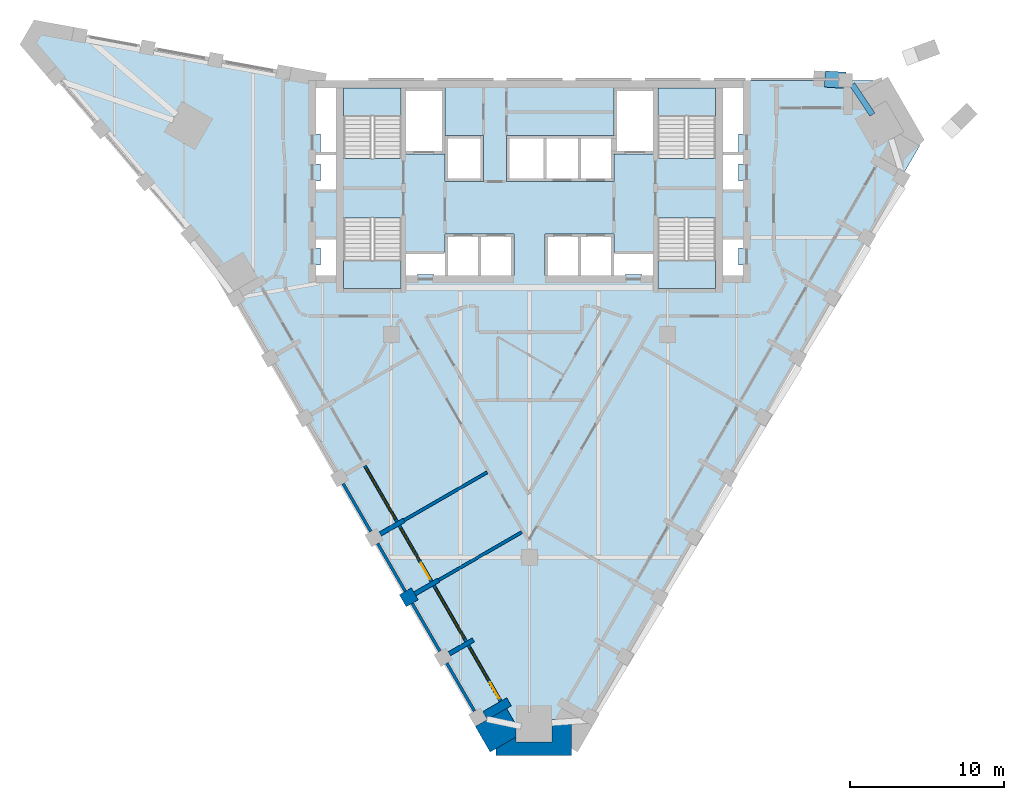
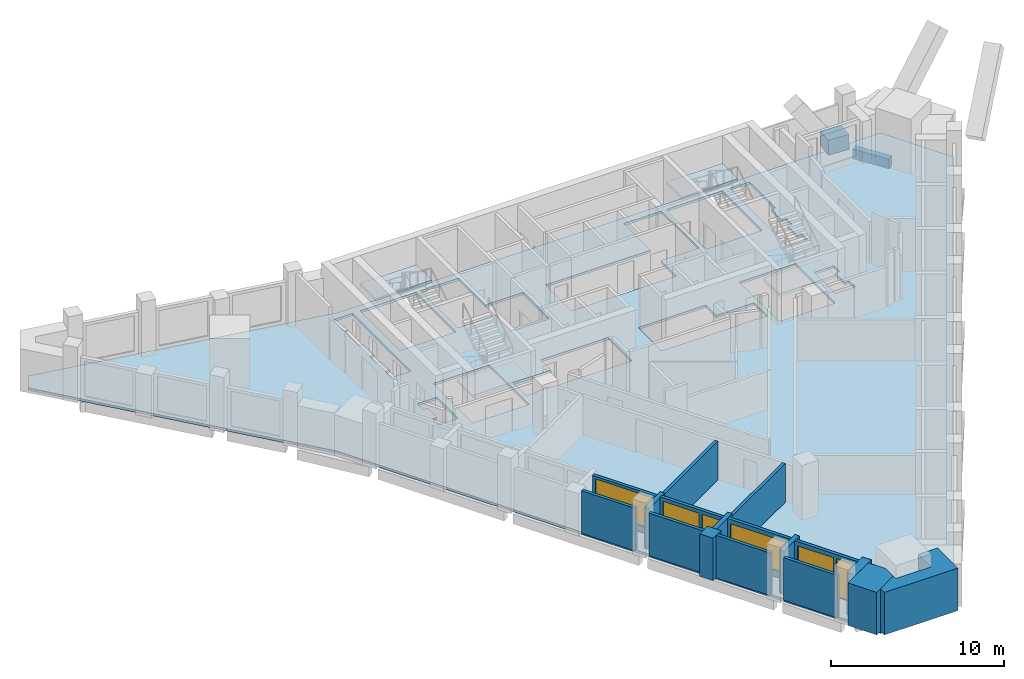
# One storey, part 2 of 9: 17 walls, 5 slabs, 4 windows, 2 beams, 2 doors, 6 openings, 4 elements without a shape of their own.
"""IFC4 building model written with IfcOpenShell, lengths in metres."""

from ifc_helpers import new_model, si_unit, direction, frame, frame_2d, origin, origin_2d, place, context, subcontext, project, spatial, polyline, rectangle, outline, extrude, material, layer, layer_set, material_profile, profile_set, type_object, element, fill, aggregate, save


model = new_model("IFC4")

# Units and contexts
model_context = context("Model", 3, precision=1e-05, world=origin(), true_north=direction((0.0, 1.0)))
body_context = subcontext(model_context, "Body", "Model", "MODEL_VIEW")
ifc_project = project(units=[si_unit("LENGTHUNIT", "METRE"), si_unit("AREAUNIT", "SQUARE_METRE"), si_unit("VOLUMEUNIT", "CUBIC_METRE"), si_unit("PLANEANGLEUNIT", "RADIAN"), si_unit("MASSUNIT", "GRAM", prefix="KILO")], contexts=[model_context])

# Site, building, storey
site_placement = place(None, origin())
site = spatial("IfcSite", under=ifc_project, at=site_placement, CompositionType="ELEMENT")
building_placement = place(site_placement, origin())
building = spatial("IfcBuilding", under=site, at=building_placement, Name="Calabash Gate Tower", CompositionType="ELEMENT")
storey_placement = place(building_placement, frame((0.0, 0.0, 235.39990234375)))
storey = spatial("IfcBuildingStorey", under=building, at=storey_placement, Name="L56", CompositionType="ELEMENT", Elevation=235.39990234375)

# Beams
ifc_material_1 = material(Name="Concrete C50/60", Category="concrete")
ifc_material_profile_1 = material_profile(ifc_material_1, rectangle(XDim=0.39990234375, YDim=0.699951171875, at=origin_2d()))
ifc_profile_set_1 = profile_set([ifc_material_profile_1], Name="Concrete C50/60")
beam_type_1 = type_object("IfcBeamType", Name="Edge beam RC 400x700 Concrete C50/60", PredefinedType="BEAM", material=ifc_profile_set_1)
beam_1_placement = place(storey_placement, frame((22.325927734375, 16.821044921875, -0.52001953125), z_axis=(-0.556658779258, 0.830741237375, 0.0), x_axis=(-0.830741237375, -0.556658779258, 0.0)))
element("IfcBeam", 1, at=beam_1_placement, inside=storey, type_object=beam_type_1, Name="Edge beam L56 12", PredefinedType="BEAM", context=body_context, shape_type="SweptSolid", body=[
    extrude(rectangle(XDim=0.39990234375, YDim=0.699951171875, at=origin_2d()), origin(), (0.0, 0.0, 1.0), 2.35693359375),
])
ifc_material_2 = material(Name="Concrete C80/95", Category="concrete")
ifc_material_profile_2 = material_profile(ifc_material_2, rectangle(XDim=1.050048828125, YDim=1.050048828125, at=origin_2d()))
ifc_profile_set_2 = profile_set([ifc_material_profile_2], Name="Concrete C80/95")
beam_type_2 = type_object("IfcBeamType", Name="Transfer node RC 1050x1050 Concrete C80/95", PredefinedType="BEAM", material=ifc_profile_set_2)
beam_2_placement = place(storey_placement, frame((20.576904296875, 19.052978515625, 0.527099609375), z_axis=(-0.998194229272, 0.060068965764, 0.0), x_axis=(-0.060068965764, -0.998194229272, 0.0)))
element("IfcBeam", 2, at=beam_2_placement, inside=storey, type_object=beam_type_2, Name="Transfer node L58 prow foot P40", PredefinedType="BEAM", context=body_context, shape_type="SweptSolid", body=[
    extrude(rectangle(XDim=1.050048828125, YDim=1.050048828125, at=origin_2d()), origin(), (0.0, 0.0, 1.0), 1.349365234375),
])

# Slab
ifc_material_3 = material(Name="Concrete C40/50", Category="concrete")
ifc_layer_1 = layer(ifc_material_3, 0.169921875)
ifc_layer_set_1 = layer_set([ifc_layer_1], Name="Composite floor slab 170 Concrete C40/50")
slab_type_1 = type_object("IfcSlabType", Name="Composite floor slab 170 Concrete C40/50", PredefinedType="FLOOR", material=ifc_layer_set_1)
slab_1_placement = place(storey_placement, frame((0.0, 0.0, -0.169921875)))
element("IfcSlab", 3, at=slab_1_placement, inside=storey, type_object=slab_type_1, Name="Floor slab L56", PredefinedType="FLOOR", context=body_context, shape_type="SweptSolid", body=[
    extrude(outline(polyline([(2.740478515625, -24.452880859375), (-2.173095703125, -24.452880859375), (-20.291015625, 6.92822265625), (-32.620361328125, 21.43115234375), (-32.015625, 22.478515625), (-13.291015625, 19.052490234375), (22.94482421875, 19.052490234375), (25.401611328125, 14.79736328125), (2.740478515625, -24.452880859375)]), holes=[polyline([(-7.324951171875, 6.3525390625), (-7.324951171875, 6.402587890625), (-6.22509765625, 6.402587890625), (-6.22509765625, 6.3525390625), (-5.5, 6.3525390625), (-3.25, 6.3525390625), (-1.0, 6.3525390625), (-1.0, 9.052490234375), (-3.25, 9.052490234375), (-5.5, 9.052490234375), (-5.5, 7.8525390625), (-8.050048828125, 7.8525390625), (-8.050048828125, 6.3525390625), (-7.324951171875, 6.3525390625)]), polyline([(8.050048828125, 6.3525390625), (8.050048828125, 7.8525390625), (5.5, 7.8525390625), (5.5, 9.052490234375), (3.25, 9.052490234375), (1.0, 9.052490234375), (1.0, 6.3525390625), (3.25, 6.3525390625), (5.5, 6.3525390625), (6.22509765625, 6.3525390625), (6.22509765625, 6.402587890625), (7.324951171875, 6.402587890625), (7.324951171875, 6.3525390625), (8.050048828125, 6.3525390625)]), polyline([(-8.050048828125, 18.552490234375), (-8.050048828125, 14.252685546875), (-5.5, 14.252685546875), (-5.5, 12.45263671875), (-3.0, 12.45263671875), (-3.0, 15.45263671875), (-5.5, 15.45263671875), (-5.5, 18.552490234375), (-8.050048828125, 18.552490234375)]), polyline([(5.5, 14.252685546875), (8.050048828125, 14.252685546875), (8.050048828125, 18.552490234375), (5.5, 18.552490234375), (5.5, 15.45263671875), (3.25, 15.45263671875), (1.0, 15.45263671875), (-1.5, 15.45263671875), (-1.5, 12.45263671875), (1.0, 12.45263671875), (3.25, 12.45263671875), (5.5, 12.45263671875), (5.5, 14.252685546875)]), polyline([(-12.10009765625, 13.95263671875), (-8.35009765625, 13.95263671875), (-8.35009765625, 18.552490234375), (-12.10009765625, 18.552490234375), (-12.10009765625, 13.95263671875)]), polyline([(-8.35009765625, 5.502685546875), (-8.35009765625, 10.1025390625), (-12.10009765625, 10.1025390625), (-12.10009765625, 5.502685546875), (-8.35009765625, 5.502685546875)]), polyline([(12.10009765625, 18.552490234375), (8.35009765625, 18.552490234375), (8.35009765625, 13.95263671875), (12.10009765625, 13.95263671875), (12.10009765625, 18.552490234375)]), polyline([(8.35009765625, 10.1025390625), (8.35009765625, 5.502685546875), (12.10009765625, 5.502685546875), (12.10009765625, 10.1025390625), (8.35009765625, 10.1025390625)]), polyline([(-13.89990234375, 6.3525390625), (-12.60009765625, 6.3525390625), (-12.60009765625, 8.79248046875), (-13.89990234375, 8.79248046875), (-13.89990234375, 8.12255859375), (-13.60009765625, 8.12255859375), (-13.60009765625, 7.022705078125), (-13.89990234375, 7.022705078125), (-13.89990234375, 6.3525390625)]), polyline([(-13.89990234375, 12.5126953125), (-13.89990234375, 11.842529296875), (-12.60009765625, 11.842529296875), (-12.60009765625, 14.28271484375), (-12.60009765625, 18.552490234375), (-13.89990234375, 18.552490234375), (-13.89990234375, 15.550048828125), (-13.60009765625, 15.550048828125), (-13.60009765625, 14.28271484375), (-13.89990234375, 14.28271484375), (-13.89990234375, 13.612548828125), (-13.60009765625, 13.612548828125), (-13.60009765625, 12.5126953125), (-13.89990234375, 12.5126953125)]), polyline([(13.60009765625, 7.022705078125), (13.60009765625, 8.12255859375), (13.89990234375, 8.12255859375), (13.89990234375, 8.79248046875), (12.60009765625, 8.79248046875), (12.60009765625, 6.3525390625), (13.89990234375, 6.3525390625), (13.89990234375, 7.022705078125), (13.60009765625, 7.022705078125)]), polyline([(13.89990234375, 12.5126953125), (13.60009765625, 12.5126953125), (13.60009765625, 13.612548828125), (13.89990234375, 13.612548828125), (13.89990234375, 14.28271484375), (13.60009765625, 14.28271484375), (13.60009765625, 15.550048828125), (13.89990234375, 15.550048828125), (13.89990234375, 18.552490234375), (12.60009765625, 18.552490234375), (12.60009765625, 14.28271484375), (12.60009765625, 11.842529296875), (13.89990234375, 11.842529296875), (13.89990234375, 12.5126953125)])]), origin(), (0.0, 0.0, 1.0), 0.169921875),
])

# Stair, slab
ifc_material_4 = material(Name="Concrete C40/50", Category="concrete")
stair_type = type_object("IfcStairType", Name="Exit stair 22 risers of 177.3 mm", PredefinedType="HALF_TURN_STAIR", material=ifc_material_4)
stair_1_placement = place(storey_placement, origin())
stair_1 = element("IfcStair", 4, at=stair_1_placement, inside=storey, type_object=stair_type, Name="L56 Exit stair ST1", PredefinedType="HALF_TURN_STAIR")
ifc_material_5 = material(Name="Concrete C40/50", Category="concrete")
ifc_layer_2 = layer(ifc_material_5, 0.199951171875)
ifc_layer_set_2 = layer_set([ifc_layer_2], Name="Stair landing SL200")
slab_type_2 = type_object("IfcSlabType", Name="Stair landing SL200", PredefinedType="LANDING", material=ifc_layer_set_2)
slab_2_placement = place(storey_placement, frame((0.0, 0.0, 1.75)))
slab_2 = element("IfcSlab", 5, at=slab_2_placement, type_object=slab_type_2, Name="ST1 landing 1", PredefinedType="LANDING", context=body_context, shape_type="SweptSolid", body=[
    extrude(outline(polyline([(-8.35009765625, 16.74267578125), (-8.35009765625, 18.552490234375), (-12.10009765625, 18.552490234375), (-12.10009765625, 16.74267578125), (-8.35009765625, 16.74267578125)])), origin(), (0.0, 0.0, 1.0), 0.2001953125),
])
aggregate(stair_1, [slab_2])

stair_2_placement = place(storey_placement, origin())
stair_2 = element("IfcStair", 6, at=stair_2_placement, inside=storey, type_object=stair_type, Name="L56 Exit stair ST2", PredefinedType="HALF_TURN_STAIR")
slab_3_placement = place(storey_placement, frame((0.0, 0.0, 1.75)))
slab_3 = element("IfcSlab", 7, at=slab_3_placement, type_object=slab_type_2, Name="ST2 landing 1", PredefinedType="LANDING", context=body_context, shape_type="SweptSolid", body=[
    extrude(outline(polyline([(-12.10009765625, 7.3125), (-12.10009765625, 5.502685546875), (-8.35009765625, 5.502685546875), (-8.35009765625, 7.3125), (-12.10009765625, 7.3125)])), origin(), (0.0, 0.0, 1.0), 0.2001953125),
])
aggregate(stair_2, [slab_3])

stair_3_placement = place(storey_placement, origin())
stair_3 = element("IfcStair", 8, at=stair_3_placement, inside=storey, type_object=stair_type, Name="L56 Exit stair ST3", PredefinedType="HALF_TURN_STAIR")
slab_4_placement = place(storey_placement, frame((0.0, 0.0, 1.75)))
slab_4 = element("IfcSlab", 9, at=slab_4_placement, type_object=slab_type_2, Name="ST3 landing 1", PredefinedType="LANDING", context=body_context, shape_type="SweptSolid", body=[
    extrude(outline(polyline([(12.10009765625, 16.74267578125), (12.10009765625, 18.552490234375), (8.35009765625, 18.552490234375), (8.35009765625, 16.74267578125), (12.10009765625, 16.74267578125)])), origin(), (0.0, 0.0, 1.0), 0.2001953125),
])
aggregate(stair_3, [slab_4])

stair_4_placement = place(storey_placement, origin())
stair_4 = element("IfcStair", 10, at=stair_4_placement, inside=storey, type_object=stair_type, Name="L56 Exit stair ST4", PredefinedType="HALF_TURN_STAIR")
slab_5_placement = place(storey_placement, frame((0.0, 0.0, 1.75)))
slab_5 = element("IfcSlab", 11, at=slab_5_placement, type_object=slab_type_2, Name="ST4 landing 1", PredefinedType="LANDING", context=body_context, shape_type="SweptSolid", body=[
    extrude(outline(polyline([(8.35009765625, 7.3125), (8.35009765625, 5.502685546875), (12.10009765625, 5.502685546875), (12.10009765625, 7.3125), (8.35009765625, 7.3125)])), origin(), (0.0, 0.0, 1.0), 0.2001953125),
])
aggregate(stair_4, [slab_5])

# Walls
ifc_material_6 = material(Name="Terracotta brick masonry, exposed face", Category="masonry")
ifc_layer_3 = layer(ifc_material_6, 2.35009765625)
ifc_layer_set_3 = layer_set([ifc_layer_3], Name="Brick corner mass wall 2350")
wall_type_1 = type_object("IfcWallType", Name="Brick corner mass wall 2350", PredefinedType="SOLIDWALL", material=ifc_layer_set_3)
wall_1_placement = place(storey_placement, origin())
element("IfcWall", 12, at=wall_1_placement, inside=storey, type_object=wall_type_1, Name="Brick corner pier S16 2a", PredefinedType="SOLIDWALL", context=body_context, shape_type="SweptSolid", body=[
    extrude(outline(polyline([(-0.89111328125, -22.87353515625), (-1.486572265625, -21.842041015625), (-3.521728515625, -23.01708984375), (-2.562744140625, -24.677978515625), (-0.89111328125, -23.712646484375), (-0.89111328125, -22.87353515625)])), origin(), (0.0, 0.0, 1.0), 3.0),
])
wall_2_placement = place(storey_placement, origin())
element("IfcWall", 13, at=wall_2_placement, inside=storey, type_object=wall_type_1, Name="Brick corner pier S16 2b", PredefinedType="SOLIDWALL", context=body_context, shape_type="SweptSolid", body=[
    extrude(outline(polyline([(1.458984375, -24.011962890625), (-0.89111328125, -24.011962890625), (-0.89111328125, -23.712646484375), (-2.173095703125, -24.452880859375), (-2.173095703125, -24.90283203125), (2.740478515625, -24.90283203125), (2.740478515625, -22.552978515625), (1.458984375, -22.552978515625), (1.458984375, -24.011962890625)])), origin(), (0.0, 0.0, 1.0), 3.0),
])
ifc_material_7 = material(Name="Terracotta brick masonry, exposed face", Category="masonry")
ifc_layer_4 = layer(ifc_material_7, 0.89990234375)
ifc_layer_set_4 = layer_set([ifc_layer_4], Name="Brick end wall 900")
wall_type_2 = type_object("IfcWallType", Name="Brick end wall 900", PredefinedType="SOLIDWALL", material=ifc_layer_set_4)
wall_3_placement = place(storey_placement, frame((-7.46728515625, -14.383056640625, 0.0), z_axis=(0.0, 0.0, 1.0), x_axis=(-0.866013897511, -0.50001992892, 0.0)))
element("IfcWall", 14, at=wall_3_placement, inside=storey, type_object=wall_type_2, Name="Brick pier S16 SW0.5", PredefinedType="SOLIDWALL", context=body_context, shape_type="SweptSolid", body=[
    extrude(rectangle(XDim=0.89990234375, YDim=0.89990234375, at=frame_2d((0.449951171875, 0.0))), origin(), (0.0, 0.0, 1.0), 3.0),
])
ifc_material_8 = material(Name="Terracotta brick masonry, exposed face", Category="masonry")
ifc_layer_5 = layer(ifc_material_8, 0.300048828125)
ifc_layer_set_5 = layer_set([ifc_layer_5], Name="Brick loggia cheek wall 300")
wall_type_3 = type_object("IfcWallType", Name="Brick loggia cheek wall 300", PredefinedType="SOLIDWALL", material=ifc_layer_set_5)
wall_4_placement = place(storey_placement, frame((-9.71728515625, -10.48583984375, 0.0), z_axis=(0.0, 0.0, 1.0), x_axis=(0.866047807691, 0.499961193289, 0.0)))
element("IfcWall", 15, at=wall_4_placement, inside=storey, type_object=wall_type_3, Name="Loggia cheek S16 SW0.4", PredefinedType="SOLIDWALL", context=body_context, shape_type="SweptSolid", body=[
    extrude(rectangle(XDim=1.800048828125, YDim=0.300048828125, at=frame_2d((0.89990234375, 0.0))), origin(), (0.0, 0.0, 1.0), 2.88427734375),
])
wall_5_placement = place(storey_placement, frame((-7.46728515625, -14.383056640625, 0.0), z_axis=(0.0, 0.0, 1.0), x_axis=(0.865989075817, 0.500062916607, 0.0)))
element("IfcWall", 16, at=wall_5_placement, inside=storey, type_object=wall_type_3, Name="Loggia cheek S16 SW0.5", PredefinedType="SOLIDWALL", context=body_context, shape_type="SweptSolid", body=[
    extrude(rectangle(XDim=1.800048828125, YDim=0.300048828125, at=frame_2d((0.89990234375, 0.0))), origin(), (0.0, 0.0, 1.0), 3.0),
])
wall_6_placement = place(storey_placement, frame((-3.658447265625, -17.380126953125, 0.0), z_axis=(0.0, 0.0, 1.0), x_axis=(-0.866029639064, -0.499992664208, 0.0)))
element("IfcWall", 17, at=wall_6_placement, inside=storey, type_object=wall_type_3, Name="Loggia cheek S16 SW0.6", PredefinedType="SOLIDWALL", context=body_context, shape_type="SweptSolid", body=[
    extrude(rectangle(XDim=1.798828125, YDim=0.300048828125, at=frame_2d((0.8994140625, 0.0))), origin(), (0.0, 0.0, 1.0), 3.0),
])
wall_7_placement = place(storey_placement, frame((-1.33349609375, -21.4072265625, 0.0), z_axis=(0.0, 0.0, 1.0), x_axis=(-0.866047807691, -0.499961193289, 0.0)))
element("IfcWall", 18, at=wall_7_placement, inside=storey, type_object=wall_type_3, Name="Loggia cheek S16 SW0.7", PredefinedType="SOLIDWALL", context=body_context, shape_type="SweptSolid", body=[
    extrude(rectangle(XDim=1.800048828125, YDim=0.60009765625, at=frame_2d((0.89990234375, 0.0))), origin(), (0.0, 0.0, 1.0), 3.0),
])
ifc_material_9 = material(Name="Gypsum board on steel studs, mineral wool", Category="steel")
ifc_layer_6 = layer(ifc_material_9, 0.199951171875)
ifc_layer_set_6 = layer_set([ifc_layer_6], Name="Partition 200 gypsum board EI 60")
wall_type_4 = type_object("IfcWallType", Name="Partition 200 gypsum board EI 60", PredefinedType="PARTITIONING", material=ifc_layer_set_6)
wall_8_placement = place(storey_placement, frame((-5.908203125, -13.4833984375, 0.0), z_axis=(0.0, 0.0, 1.0), x_axis=(0.866160870949, 0.499765290549, 0.0)))
element("IfcWall", 19, at=wall_8_placement, inside=storey, type_object=wall_type_4, Name="Partition", PredefinedType="PARTITIONING", context=body_context, shape_type="SweptSolid", body=[
    extrude(rectangle(XDim=6.24951171875, YDim=0.199951171875, at=frame_2d((3.124755859375, 0.0))), origin(), (0.0, 0.0, 1.0), 2.74169921875),
])
wall_9_placement = place(storey_placement, frame((-8.158203125, -9.586181640625, 0.0), z_axis=(0.0, 0.0, 1.0), x_axis=(0.866153717883, 0.499777687575, 0.0)))
element("IfcWall", 20, at=wall_9_placement, inside=storey, type_object=wall_type_4, Name="Partition", PredefinedType="PARTITIONING", context=body_context, shape_type="SweptSolid", body=[
    extrude(rectangle(XDim=6.249755859375, YDim=0.199951171875, at=frame_2d((3.125, 0.0))), origin(), (0.0, 0.0, 1.0), 2.74169921875),
])
ifc_material_10 = material(Name="Terracotta brick masonry, perforated", Category="masonry")
ifc_layer_7 = layer(ifc_material_10, 0.199951171875)
ifc_layer_set_7 = layer_set([ifc_layer_7], Name="Terracotta jaali screen B")
wall_type_5 = type_object("IfcWallType", Name="Terracotta jaali screen B", PredefinedType="SOLIDWALL", material=ifc_layer_set_7)
for number, where, z_axis, x_axis, name in (
    (21, (-12.132080078125, -7.20361328125, 0.0), (0.0, 0.0, 1.0), (0.500012057535, -0.866018442252, 0.0), "SCREEN B S16 SW0.4"),
    (22, (-9.882080078125, -11.1005859375, 0.0), (0.0, 0.0, 1.0), (0.500012057535, -0.866018442252, 0.0), "SCREEN B S16 SW0.5"),
):
    element("IfcWall", number, at=place(storey_placement, frame(where, z_axis=z_axis, x_axis=x_axis)), inside=storey, type_object=wall_type_5, Name=name, PredefinedType="SOLIDWALL", context=body_context, shape_type="SweptSolid", body=[
        extrude(rectangle(XDim=3.60009765625, YDim=0.199951171875, at=frame_2d((1.800048828125, 0.0))), origin(), (0.0, 0.0, 1.0), 3.0),
    ])
wall_10_placement = place(storey_placement, origin())
element("IfcWall", 23, at=wall_10_placement, inside=storey, type_object=wall_type_5, Name="SCREEN B S16 SW0.6", PredefinedType="SOLIDWALL", context=body_context, shape_type="SweptSolid", body=[
    extrude(outline(polyline([(-7.718505859375, -15.0478515625), (-5.91943359375, -18.163818359375), (-5.746337890625, -18.063720703125), (-7.54541015625, -14.94775390625), (-7.718505859375, -15.0478515625)])), origin(), (0.0, 0.0, 1.0), 3.0),
])
wall_11_placement = place(storey_placement, frame((-5.382080078125, -18.894775390625, 0.0), z_axis=(0.0, 0.0, 1.0), x_axis=(0.500012057535, -0.866018442252, 0.0)))
element("IfcWall", 24, at=wall_11_placement, inside=storey, type_object=wall_type_5, Name="SCREEN B S16 SW0.7", PredefinedType="SOLIDWALL", context=body_context, shape_type="SweptSolid", body=[
    extrude(rectangle(XDim=3.60009765625, YDim=0.199951171875, at=frame_2d((1.800048828125, 0.0))), origin(), (0.0, 0.0, 1.0), 3.0),
])

# Wall, opening, window
ifc_material_11 = material(Name="Aluminium framed window wall with insulated spandrel", Category="aluminium")
ifc_layer_8 = layer(ifc_material_11, 0.199951171875)
ifc_layer_set_8 = layer_set([ifc_layer_8], Name="Window wall 200")
wall_type_6 = type_object("IfcWallType", Name="Window wall 200", PredefinedType="ELEMENTEDWALL", material=ifc_layer_set_8)
wall_12_placement = place(storey_placement, frame((-10.72314453125, -6.043701171875, 0.0), z_axis=(0.0, 0.0, 1.0), x_axis=(0.500027713859, -0.866009402589, 0.0)))
wall_12 = element("IfcWall", 25, at=wall_12_placement, inside=storey, type_object=wall_type_6, Name="Window wall S16 SW0.4", PredefinedType="ELEMENTEDWALL", context=body_context, shape_type="SweptSolid", body=[
    extrude(rectangle(XDim=4.199951171875, YDim=0.199951171875, at=frame_2d((2.10009765625, 0.0))), origin(), (0.0, 0.0, 1.0), 2.88427734375),
])
opening_1_placement = place(wall_12_placement, frame((0.199951171875, 0.0, 0.449951171875)))
opening_1 = element("IfcOpeningElement", 26, at=opening_1_placement, cuts=wall_12, Name="Opening OW2", PredefinedType="OPENING", context=body_context, shape_type="SweptSolid", body=[
    extrude(rectangle(XDim=3.800048828125, YDim=2.25, at=frame_2d((1.89990234375, 1.125))), frame((0.0, 0.10986328125, 0.0), z_axis=(0.0, -1.0, 0.0), x_axis=(1.0, 0.0, 0.0)), (0.0, 0.0, 1.0), 0.219970703125),
])
ifc_material_12 = material(Name="Anodised aluminium frame, bronze finish, impact-rated laminated clear glazing", Category="aluminium")
window_type_1 = type_object("IfcWindowType", Name="Window OW2 3800x2250", PartitioningType="TRIPLE_PANEL_VERTICAL", PredefinedType="WINDOW", material=ifc_material_12)
window_1_placement = place(opening_1_placement, origin())
window_1 = element("IfcWindow", 27, at=window_1_placement, inside=storey, type_object=window_type_1, Name="Window OW2 S16 SW0.4", OverallHeight=2.25, OverallWidth=3.800048828125, PartitioningType="SINGLE_PANEL", PredefinedType="WINDOW", context=body_context, shape_type="SweptSolid", body=[
    extrude(rectangle(XDim=3.800048828125, YDim=2.25, at=frame_2d((1.89990234375, 1.125))), frame((0.0, 0.030029296875, 0.0), z_axis=(0.0, -1.0, 0.0), x_axis=(1.0, 0.0, 0.0)), (0.0, 0.0, 1.0), 0.06005859375),
])
fill(opening_1, window_1)

# Wall, openings, door, window
wall_13_placement = place(storey_placement, frame((-8.47314453125, -9.94091796875, 0.0), z_axis=(0.0, 0.0, 1.0), x_axis=(0.500027713859, -0.866009402589, 0.0)))
wall_13 = element("IfcWall", 28, at=wall_13_placement, inside=storey, type_object=wall_type_6, Name="Window wall S16 SW0.5", PredefinedType="ELEMENTEDWALL", context=body_context, shape_type="SweptSolid", body=[
    extrude(rectangle(XDim=4.199951171875, YDim=0.199951171875, at=frame_2d((2.10009765625, 0.0))), origin(), (0.0, 0.0, 1.0), 2.9501953125),
])
opening_2_placement = place(wall_13_placement, frame((0.199951171875, 0.0, 0.449951171875)))
opening_2 = element("IfcOpeningElement", 29, at=opening_2_placement, cuts=wall_13, Name="Opening OW1", PredefinedType="OPENING", context=body_context, shape_type="SweptSolid", body=[
    extrude(rectangle(XDim=2.39990234375, YDim=2.25, at=frame_2d((1.199951171875, 1.125))), frame((0.0, 0.10986328125, 0.0), z_axis=(0.0, -1.0, 0.0), x_axis=(1.0, 0.0, 0.0)), (0.0, 0.0, 1.0), 0.219970703125),
])
opening_3_placement = place(wall_13_placement, frame((2.800048828125, 0.0, 0.0)))
opening_3 = element("IfcOpeningElement", 30, at=opening_3_placement, cuts=wall_13, Name="Opening O8-028", PredefinedType="OPENING", context=body_context, shape_type="SweptSolid", body=[
    extrude(rectangle(XDim=1.199951171875, YDim=2.699951171875, at=frame_2d((0.60009765625, 1.35009765625))), frame((0.0, 0.10986328125, 0.0), z_axis=(0.0, -1.0, 0.0), x_axis=(1.0, 0.0, 0.0)), (0.0, 0.0, 1.0), 0.219970703125),
])
ifc_material_13 = material(Name="Anodised aluminium frame, bronze finish, impact-rated laminated clear glazing", Category="aluminium")
door_type = type_object("IfcDoorType", Name="Loggia door DO1 1200x2700", OperationType="SLIDING_TO_LEFT", PredefinedType="DOOR", material=ifc_material_13)
door_1_placement = place(opening_3_placement, origin())
door_1 = element("IfcDoor", 31, at=door_1_placement, inside=storey, type_object=door_type, Name="Loggia door S16 SW0.5", OperationType="SINGLE_SWING_LEFT", OverallHeight=2.699951171875, OverallWidth=1.199951171875, PredefinedType="DOOR", context=body_context, shape_type="SweptSolid", body=[
    extrude(rectangle(XDim=1.199951171875, YDim=2.699951171875, at=frame_2d((0.60009765625, 1.35009765625))), frame((0.0, 0.02490234375, 0.0), z_axis=(0.0, -1.0, 0.0), x_axis=(1.0, 0.0, 0.0)), (0.0, 0.0, 1.0), 0.050048828125),
])
fill(opening_3, door_1)
ifc_material_14 = material(Name="Anodised aluminium frame, bronze finish, impact-rated laminated clear glazing", Category="aluminium")
window_type_2 = type_object("IfcWindowType", Name="Window OW1 2400x2250", PartitioningType="DOUBLE_PANEL_VERTICAL", PredefinedType="WINDOW", material=ifc_material_14)
window_2_placement = place(opening_2_placement, origin())
window_2 = element("IfcWindow", 32, at=window_2_placement, inside=storey, type_object=window_type_2, Name="Window OW1 S16 SW0.5", OverallHeight=2.25, OverallWidth=2.39990234375, PartitioningType="SINGLE_PANEL", PredefinedType="WINDOW", context=body_context, shape_type="SweptSolid", body=[
    extrude(rectangle(XDim=2.39990234375, YDim=2.25, at=frame_2d((1.199951171875, 1.125))), frame((0.0, 0.030029296875, 0.0), z_axis=(0.0, -1.0, 0.0), x_axis=(1.0, 0.0, 0.0)), (0.0, 0.0, 1.0), 0.06005859375),
])
fill(opening_2, window_2)

# Wall, opening, window
wall_14_placement = place(storey_placement, frame((-6.22314453125, -13.837890625, 0.0), z_axis=(0.0, 0.0, 1.0), x_axis=(0.500002543286, -0.866023935413, 0.0)))
wall_14 = element("IfcWall", 33, at=wall_14_placement, inside=storey, type_object=wall_type_6, Name="Window wall S16 SW0.6", PredefinedType="ELEMENTEDWALL", context=body_context, shape_type="SweptSolid", body=[
    extrude(rectangle(XDim=4.2001953125, YDim=0.199951171875, at=frame_2d((2.10009765625, 0.0))), origin(), (0.0, 0.0, 1.0), 3.0),
])
opening_4_placement = place(wall_14_placement, frame((0.199951171875, 0.0, 0.449951171875)))
opening_4 = element("IfcOpeningElement", 34, at=opening_4_placement, cuts=wall_14, Name="Opening OW2", PredefinedType="OPENING", context=body_context, shape_type="SweptSolid", body=[
    extrude(rectangle(XDim=3.800048828125, YDim=2.25, at=frame_2d((1.89990234375, 1.125))), frame((0.0, 0.10986328125, 0.0), z_axis=(0.0, -1.0, 0.0), x_axis=(1.0, 0.0, 0.0)), (0.0, 0.0, 1.0), 0.219970703125),
])
window_3_placement = place(opening_4_placement, origin())
window_3 = element("IfcWindow", 35, at=window_3_placement, inside=storey, type_object=window_type_1, Name="Window OW2 S16 SW0.6", OverallHeight=2.25, OverallWidth=3.800048828125, PartitioningType="SINGLE_PANEL", PredefinedType="WINDOW", context=body_context, shape_type="SweptSolid", body=[
    extrude(rectangle(XDim=3.800048828125, YDim=2.25, at=frame_2d((1.89990234375, 1.125))), frame((0.0, 0.030029296875, 0.0), z_axis=(0.0, -1.0, 0.0), x_axis=(1.0, 0.0, 0.0)), (0.0, 0.0, 1.0), 0.06005859375),
])
fill(opening_4, window_3)

# Wall, openings, door, window
wall_15_placement = place(storey_placement, frame((-3.97314453125, -17.735107421875, 0.0), z_axis=(0.0, 0.0, 1.0), x_axis=(0.500027713859, -0.866009402589, 0.0)))
wall_15 = element("IfcWall", 36, at=wall_15_placement, inside=storey, type_object=wall_type_6, Name="Window wall S16 SW0.7", PredefinedType="ELEMENTEDWALL", context=body_context, shape_type="SweptSolid", body=[
    extrude(rectangle(XDim=4.199951171875, YDim=0.199951171875, at=frame_2d((2.10009765625, 0.0))), origin(), (0.0, 0.0, 1.0), 3.0),
])
opening_5_placement = place(wall_15_placement, frame((0.199951171875, 0.0, 0.449951171875)))
opening_5 = element("IfcOpeningElement", 37, at=opening_5_placement, cuts=wall_15, Name="Opening OW1", PredefinedType="OPENING", context=body_context, shape_type="SweptSolid", body=[
    extrude(rectangle(XDim=2.39990234375, YDim=2.25, at=frame_2d((1.199951171875, 1.125))), frame((0.0, 0.10986328125, 0.0), z_axis=(0.0, -1.0, 0.0), x_axis=(1.0, 0.0, 0.0)), (0.0, 0.0, 1.0), 0.219970703125),
])
opening_6_placement = place(wall_15_placement, frame((2.800048828125, 0.0, 0.0)))
opening_6 = element("IfcOpeningElement", 38, at=opening_6_placement, cuts=wall_15, Name="Opening O8-029", PredefinedType="OPENING", context=body_context, shape_type="SweptSolid", body=[
    extrude(rectangle(XDim=1.199951171875, YDim=2.699951171875, at=frame_2d((0.60009765625, 1.35009765625))), frame((0.0, 0.10986328125, 0.0), z_axis=(0.0, -1.0, 0.0), x_axis=(1.0, 0.0, 0.0)), (0.0, 0.0, 1.0), 0.219970703125),
])
door_2_placement = place(opening_6_placement, origin())
door_2 = element("IfcDoor", 39, at=door_2_placement, inside=storey, type_object=door_type, Name="Loggia door S16 SW0.7", OperationType="SINGLE_SWING_LEFT", OverallHeight=2.699951171875, OverallWidth=1.199951171875, PredefinedType="DOOR", context=body_context, shape_type="SweptSolid", body=[
    extrude(rectangle(XDim=1.199951171875, YDim=2.699951171875, at=frame_2d((0.60009765625, 1.35009765625))), frame((0.0, 0.02490234375, 0.0), z_axis=(0.0, -1.0, 0.0), x_axis=(1.0, 0.0, 0.0)), (0.0, 0.0, 1.0), 0.050048828125),
])
fill(opening_6, door_2)
window_4_placement = place(opening_5_placement, origin())
window_4 = element("IfcWindow", 40, at=window_4_placement, inside=storey, type_object=window_type_2, Name="Window OW1 S16 SW0.7", OverallHeight=2.25, OverallWidth=2.39990234375, PartitioningType="SINGLE_PANEL", PredefinedType="WINDOW", context=body_context, shape_type="SweptSolid", body=[
    extrude(rectangle(XDim=2.39990234375, YDim=2.25, at=frame_2d((1.199951171875, 1.125))), frame((0.0, 0.030029296875, 0.0), z_axis=(0.0, -1.0, 0.0), x_axis=(1.0, 0.0, 0.0)), (0.0, 0.0, 1.0), 0.06005859375),
])
fill(opening_5, window_4)

save(model, "model.ifc")
